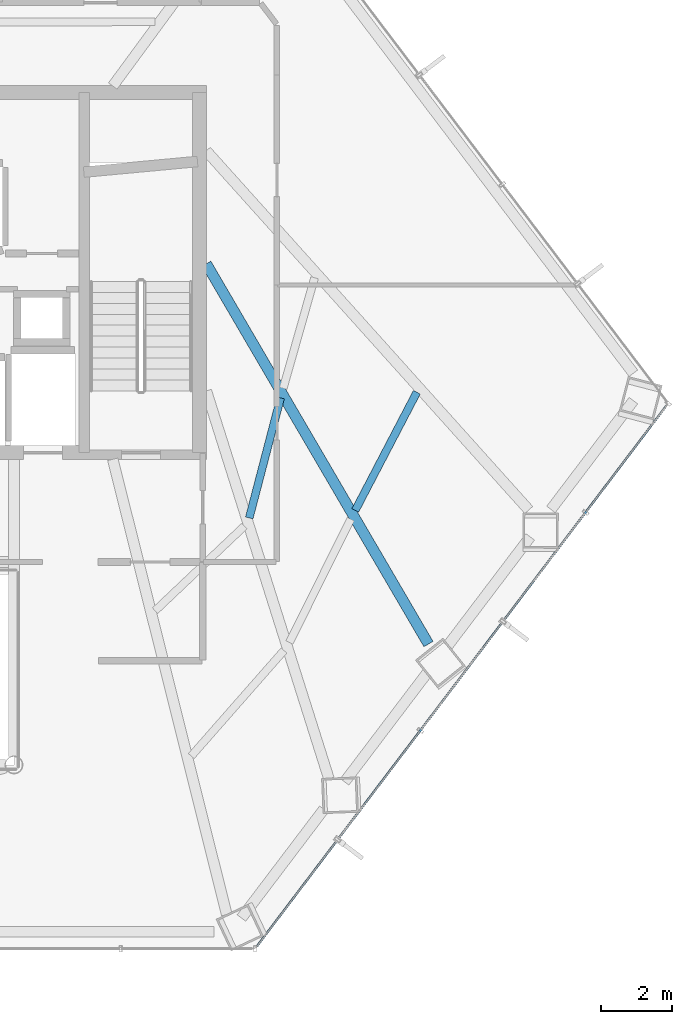
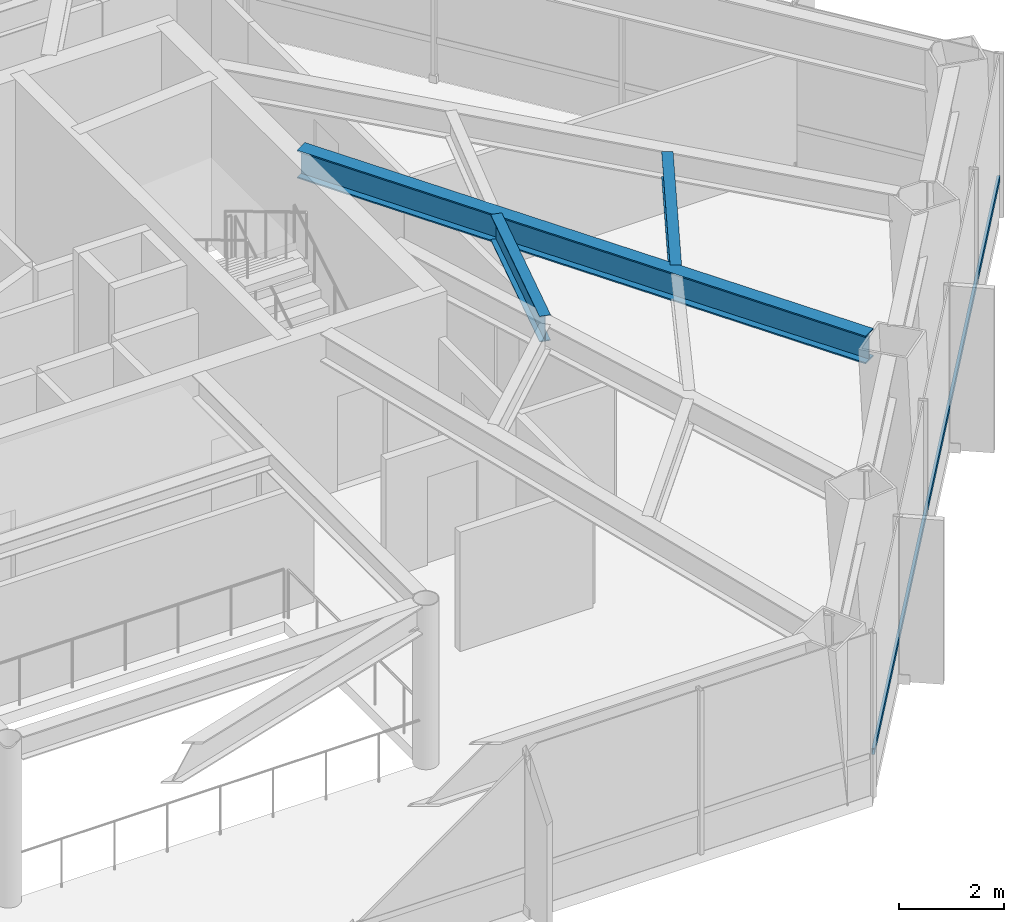
# One storey, part 18 of 26: 3 beams, 1 member, 1 element without a shape of its own.
"""IFC4 building model written with IfcOpenShell, lengths in metres."""

from ifc_helpers import new_model, si_unit, direction, frame, origin, origin_2d, place, context, subcontext, project, spatial, hollow_rectangle, i_section, extrude, material, layer, layer_set, material_profile, profile_set, type_object, element, aggregate, save


model = new_model("IFC4")

# Units and contexts
model_context = context("Model", 3, precision=1e-05, world=origin(), true_north=direction((0.0, 1.0)))
body_context = subcontext(model_context, "Body", "Model", "MODEL_VIEW")
ifc_project = project(units=[si_unit("LENGTHUNIT", "METRE"), si_unit("AREAUNIT", "SQUARE_METRE"), si_unit("VOLUMEUNIT", "CUBIC_METRE"), si_unit("PLANEANGLEUNIT", "RADIAN"), si_unit("MASSUNIT", "GRAM", prefix="KILO")], contexts=[model_context])

# Site, building, storey
site_placement = place(None, origin())
site = spatial("IfcSite", under=ifc_project, at=site_placement, CompositionType="ELEMENT")
building_placement = place(site_placement, origin())
building = spatial("IfcBuilding", under=site, at=building_placement, Name="Zarrinselat Tower", CompositionType="ELEMENT")
storey_placement = place(building_placement, frame((0.0, 0.0, 35.699951171875)))
storey = spatial("IfcBuildingStorey", under=building, at=storey_placement, Name="L08", CompositionType="ELEMENT", Elevation=35.699951171875)

# Beams
ifc_material_1 = material(Name="Steel S355J2", Category="steel")
ifc_material_profile_1 = material_profile(ifc_material_1, i_section(OverallWidth=0.300048828125, OverallDepth=0.64990234375, WebThickness=0.01611328125, FlangeThickness=0.031005859375, at=origin_2d()), Name="HEB 650")
ifc_profile_set_1 = profile_set([ifc_material_profile_1], Name="Steel S355J2")
beam_type_1 = type_object("IfcBeamType", Name="BM-HEB650", PredefinedType="BEAM", material=ifc_profile_set_1)
beam_1_placement = place(storey_placement, frame((48.449951171875, 38.60009765625, 3.4951171875), z_axis=(0.504515558764, -0.86340260074, 0.0), x_axis=(0.86340260074, 0.504515558764, 0.0)))
element("IfcBeam", 1, at=beam_1_placement, inside=storey, type_object=beam_type_1, Name="L08 Radial Primary Girder RG13", PredefinedType="BEAM", context=body_context, shape_type="SweptSolid", body=[
    extrude(i_section(OverallWidth=0.300048828125, OverallDepth=0.64990234375, WebThickness=0.01611328125, FlangeThickness=0.031005859375, at=origin_2d()), origin(), (0.0, 0.0, 1.0), 12.4794921875),
])
ifc_material_2 = material(Name="Steel S355J2", Category="steel")
ifc_material_profile_2 = material_profile(ifc_material_2, i_section(OverallWidth=0.219970703125, OverallDepth=0.60009765625, WebThickness=0.011962890625, FlangeThickness=0.01904296875, at=origin_2d()), Name="IPE 600")
ifc_profile_set_2 = profile_set([ifc_material_profile_2], Name="Steel S355J2")
beam_type_2 = type_object("IfcBeamType", Name="BM-IPE600", PredefinedType="JOIST", material=ifc_profile_set_2)
beam_2_placement = place(storey_placement, frame((49.66650390625, 31.399169921875, 3.52001953125), z_axis=(0.252814770842, 0.967514698412, 0.0), x_axis=(-0.967514698412, 0.252814770842, 0.0)))
element("IfcBeam", 2, at=beam_2_placement, inside=storey, type_object=beam_type_2, Name="L08 Composite Floor Joist 4-2", PredefinedType="JOIST", context=body_context, shape_type="SweptSolid", body=[
    extrude(i_section(OverallWidth=0.219970703125, OverallDepth=0.60009765625, WebThickness=0.011962890625, FlangeThickness=0.01904296875, at=origin_2d()), origin(), (0.0, 0.0, 1.0), 3.51611328125),
])
beam_3_placement = place(storey_placement, frame((52.670166015625, 31.61279296875, 3.52001953125), z_axis=(0.46245993142, 0.886640181715, 0.0), x_axis=(-0.886640181715, 0.46245993142, 0.0)))
element("IfcBeam", 3, at=beam_3_placement, inside=storey, type_object=beam_type_2, Name="L08 Composite Floor Joist 5-1", PredefinedType="JOIST", context=body_context, shape_type="SweptSolid", body=[
    extrude(i_section(OverallWidth=0.219970703125, OverallDepth=0.60009765625, WebThickness=0.011962890625, FlangeThickness=0.01904296875, at=origin_2d()), origin(), (0.0, 0.0, 1.0), 3.775634765625),
])

# Curtain wall, member
ifc_material_3 = material(Name="Extruded Aluminium Alloy EN AW-6063 T6", Category="aluminium")
ifc_layer = layer(ifc_material_3, 0.18505859375)
ifc_layer_set = layer_set([ifc_layer], Name="Extruded Aluminium Alloy EN AW-6063 T6")
curtain_wall_type = type_object("IfcCurtainWallType", Name="CWS-OFF", PredefinedType="NOTDEFINED", material=ifc_layer_set)
curtain_wall_placement = place(storey_placement, origin())
curtain_wall = element("IfcCurtainWall", 4, at=curtain_wall_placement, inside=storey, type_object=curtain_wall_type, Name="L08 Unitised Curtain Wall CW-L08-E05", PredefinedType="NOTDEFINED")
ifc_material_4 = material(Name="Extruded Aluminium Alloy EN AW-6063 T6", Category="aluminium")
ifc_material_profile_3 = material_profile(ifc_material_4, hollow_rectangle(XDim=0.06005859375, YDim=0.139892578125, WallThickness=0.00390625, at=origin_2d()), Name="RHS 140x60x4")
ifc_profile_set_3 = profile_set([ifc_material_profile_3], Name="Extruded Aluminium Alloy EN AW-6063 T6")
member_type = type_object("IfcMemberType", Name="MEM-CW-TRN", PredefinedType="USERDEFINED", material=ifc_profile_set_3)
member_placement = place(storey_placement, frame((49.885498046875, 19.26220703125, 0.949951171875), z_axis=(0.603862091789, 0.797088811928, 0.0), x_axis=(-0.797088811928, 0.603862091789, 0.0)))
member = element("IfcMember", 5, at=member_placement, type_object=member_type, Name="CW-L08-E05 Transom 1", ObjectType="TRANSOM", PredefinedType="USERDEFINED", context=body_context, shape_type="SweptSolid", body=[
    extrude(hollow_rectangle(XDim=0.06005859375, YDim=0.139892578125, WallThickness=0.00390625, at=origin_2d()), origin(), (0.0, 0.0, 1.0), 19.212646484375),
])
aggregate(curtain_wall, [member])

save(model, "model.ifc")
